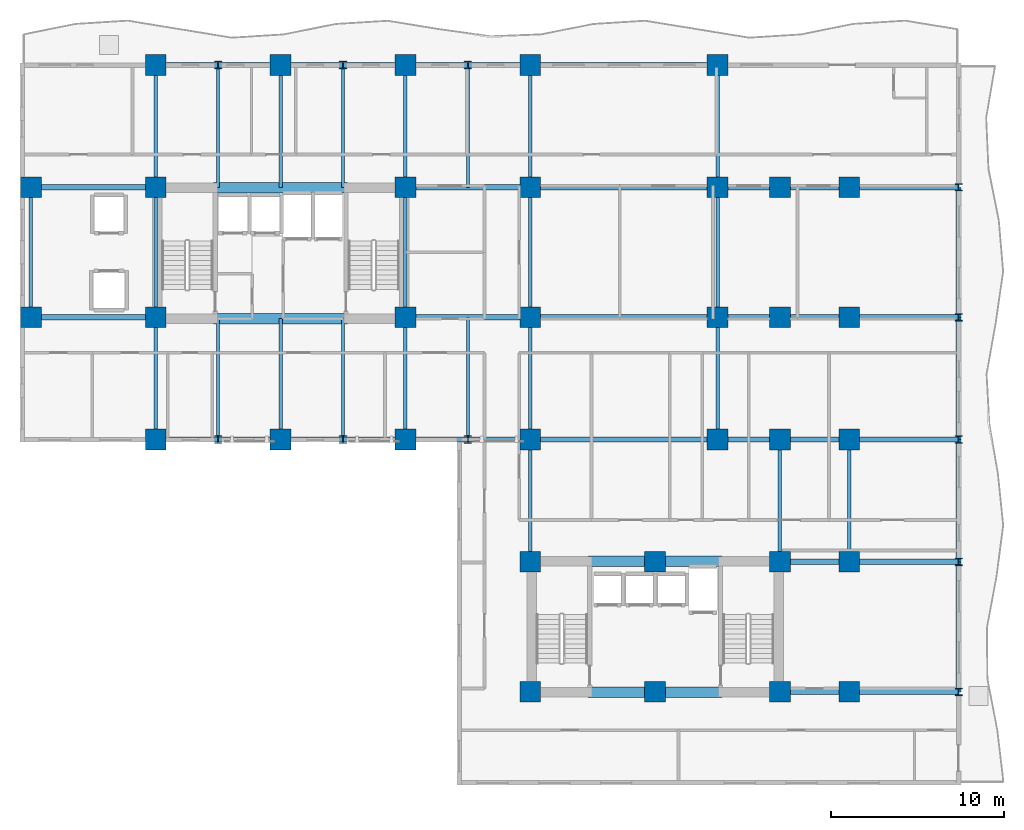
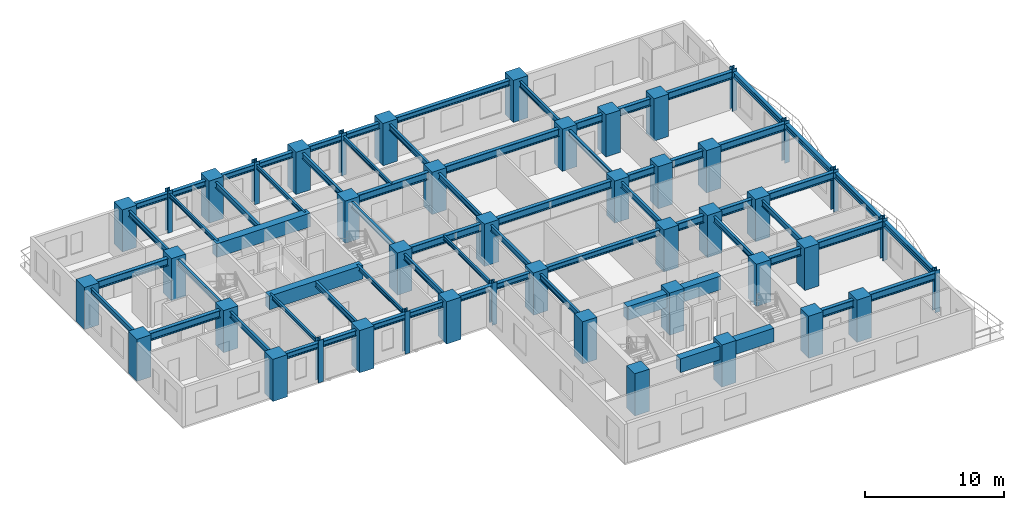
# One storey, part 1 of 11: 65 beams, 45 columns.
"""IFC4 building model written with IfcOpenShell, lengths in metres."""

import ifcopenshell
import ifcopenshell.guid

model = None  # the IFC model being written
_history = None  # IfcOwnerHistory: only IFC2X3 demands one
_inside = {}  # id of a spatial element -> (the spatial element, [elements in it])
_under = {}  # id of a project, library or spatial element -> (it, [spatial elements below it])
_declared = {}  # id of a project -> (the project, [libraries it declares])
_typed = {}  # id of a type object -> (the type object, [elements of that type])
_made_of = {}  # id of a material, layer set ... -> (it, [elements and type objects made of it])


def new_model(schema):
    """Start an empty IFC model of exactly this schema.

    Asked for "IFC4X3", IfcOpenShell would pick the latest addendum, in which some entities
    have other attributes; the version numbers below select the first issue.
    IFC2X3 requires an IfcOwnerHistory on every rooted entity: one is made here for all.
    """
    global model, _history
    if schema == "IFC4X3":
        model = ifcopenshell.file(schema_version=(4, 3, 0, 0))
    else:
        model = ifcopenshell.file(schema=schema)
    _inside.clear()
    _under.clear()
    _declared.clear()
    _typed.clear()
    _made_of.clear()
    _history = None
    if model.schema == "IFC2X3":
        org = make("IfcOrganization", Name="unknown")
        user = make(
            "IfcPersonAndOrganization",
            ThePerson=make("IfcPerson", FamilyName="unknown"),
            TheOrganization=org,
        )
        app = make(
            "IfcApplication",
            ApplicationDeveloper=org,
            Version="unknown",
            ApplicationFullName="unknown",
            ApplicationIdentifier="unknown",
        )
        _history = make(
            "IfcOwnerHistory",
            OwningUser=user,
            OwningApplication=app,
            ChangeAction="ADDED",
            CreationDate=0,
        )
    return model


def make(cls, **values):
    """One entity of the class cls with the attributes given. An attribute that is None is left unset."""
    return model.create_entity(
        cls, **{name: value for name, value in values.items() if value is not None}
    )


def rooted(cls, **values):
    """An entity with a GlobalId (a new one), such as an element, a storey or a relation."""
    return make(cls, GlobalId=ifcopenshell.guid.new(), OwnerHistory=_history, **values)


def si_unit(unit_type, name, prefix=None):
    """IfcSIUnit, for example si_unit("LENGTHUNIT", "METRE", prefix="MILLI")."""
    return make("IfcSIUnit", UnitType=unit_type, Prefix=prefix, Name=name)


def assignment(units):
    """IfcUnitAssignment: the units of a project."""
    return None if units is None else make("IfcUnitAssignment", Units=units)


def point(xyz):
    """IfcCartesianPoint."""
    return None if xyz is None else make("IfcCartesianPoint", Coordinates=xyz)


def direction(xyz):
    """IfcDirection."""
    return None if xyz is None else make("IfcDirection", DirectionRatios=xyz)


def frame(location, z_axis=None, x_axis=None):
    """IfcAxis2Placement3D, a coordinate frame: its origin and axes. An axis left out is left unset."""
    return make(
        "IfcAxis2Placement3D",
        Location=point(location),
        Axis=direction(z_axis),
        RefDirection=direction(x_axis),
    )


def frame_2d(location, x_axis=None):
    """IfcAxis2Placement2D, a coordinate frame in the plane: its origin and x axis."""
    return make(
        "IfcAxis2Placement2D", Location=point(location), RefDirection=direction(x_axis)
    )


def origin():
    """The frame at (0, 0, 0) with its axes left unset."""
    return frame((0.0, 0.0, 0.0))


def origin_2d():
    """The frame at (0, 0) in the plane with its x axis left unset."""
    return frame_2d((0.0, 0.0))


def place(relative_to, where):
    """IfcLocalPlacement: puts the frame where relative to a parent placement (None: the world)."""
    return make(
        "IfcLocalPlacement", PlacementRelTo=relative_to, RelativePlacement=where
    )


def context(
    kind, dimensions, precision=None, world=None, true_north=None, identifier=None
):
    """IfcGeometricRepresentationContext, for example the 3D "Model" context."""
    return make(
        "IfcGeometricRepresentationContext",
        ContextIdentifier=identifier,
        ContextType=kind,
        CoordinateSpaceDimension=dimensions,
        Precision=precision,
        WorldCoordinateSystem=world,
        TrueNorth=true_north,
    )


def subcontext(parent, identifier, kind, view, scale=None):
    """IfcGeometricRepresentationSubContext, for example "Body" below "Model"."""
    return make(
        "IfcGeometricRepresentationSubContext",
        ContextIdentifier=identifier,
        ContextType=kind,
        ParentContext=parent,
        TargetScale=scale,
        TargetView=view,
    )


def project(units=None, contexts=None):
    """IfcProject with its units and contexts."""
    return rooted(
        "IfcProject",
        Name="project",
        RepresentationContexts=contexts,
        UnitsInContext=assignment(units),
    )


def spatial(cls, under=None, at=None, **own):
    """A site, building, storey or space (cls), placed at a placement, below another one or the project."""
    s = rooted(cls, ObjectPlacement=at, **own)
    if under is not None:
        _under.setdefault(under.id(), (under, []))[1].append(s)
    return s


def profile(cls, at=None, kind="AREA", **sizes):
    """A parametric profile (cls). Its sizes go by their IFC names, for example OverallWidth=200.0."""
    return make(cls, ProfileType=kind, Position=at, **sizes)


def rectangle(**sizes):
    """IfcRectangleProfileDef."""
    return profile("IfcRectangleProfileDef", **sizes)


def i_section(**sizes):
    """IfcIShapeProfileDef."""
    return profile("IfcIShapeProfileDef", **sizes)


def extrude(swept, where, along, depth):
    """IfcExtrudedAreaSolid: the profile swept, set in the frame where, extruded along a direction by depth."""
    return make(
        "IfcExtrudedAreaSolid",
        SweptArea=swept,
        Position=where,
        ExtrudedDirection=direction(along),
        Depth=depth,
    )


def shape(context_of_items, identifier, shape_type, items):
    """IfcShapeRepresentation: the items that make up one representation, for example the "Body"."""
    return make(
        "IfcShapeRepresentation",
        ContextOfItems=context_of_items,
        RepresentationIdentifier=identifier,
        RepresentationType=shape_type,
        Items=items,
    )


def source(mapping_origin, context_of_items, identifier, shape_type, items):
    """IfcRepresentationMap: a shape defined once, which mapped items show again and again."""
    return make(
        "IfcRepresentationMap",
        MappingOrigin=mapping_origin,
        MappedRepresentation=shape(context_of_items, identifier, shape_type, items),
    )


def transform(
    local_origin,
    x_axis=None,
    y_axis=None,
    z_axis=None,
    scale=None,
    scale2=None,
    scale3=None,
    uniform=True,
):
    """IfcCartesianTransformationOperator3D, or its non-uniform kind. x_axis, y_axis, z_axis: its Axis1, 2, 3."""
    if uniform:
        return make(
            "IfcCartesianTransformationOperator3D",
            Axis1=direction(x_axis),
            Axis2=direction(y_axis),
            LocalOrigin=point(local_origin),
            Scale=scale,
            Axis3=direction(z_axis),
        )
    return make(
        "IfcCartesianTransformationOperator3DnonUniform",
        Axis1=direction(x_axis),
        Axis2=direction(y_axis),
        LocalOrigin=point(local_origin),
        Scale=scale,
        Axis3=direction(z_axis),
        Scale2=scale2,
        Scale3=scale3,
    )


def mapped(mapping_source, mapping_target):
    """IfcMappedItem: shows the shape of a source again, moved by a transform."""
    return make(
        "IfcMappedItem", MappingSource=mapping_source, MappingTarget=mapping_target
    )


def material(Name=None, Category=None):
    """IfcMaterial."""
    return make("IfcMaterial", Name=Name, Category=Category)


def material_profile(
    of_material, cross_section, Name=None, Category=None, Priority=None
):
    """IfcMaterialProfile: a cross section and its material."""
    return make(
        "IfcMaterialProfile",
        Name=Name,
        Material=of_material,
        Profile=cross_section,
        Priority=Priority,
        Category=Category,
    )


def profile_set(profiles, Name=None, composite=None):
    """IfcMaterialProfileSet."""
    return make(
        "IfcMaterialProfileSet",
        Name=Name,
        MaterialProfiles=profiles,
        CompositeProfile=composite,
    )


def made_of(thing, what):
    """Note that an element or type object is made of a material, layer set ...; save() writes the relation."""
    if what is not None:
        _made_of.setdefault(what.id(), (what, []))[1].append(thing)
    return thing


def type_object(cls, material=None, **own):
    """A type object (cls), such as IfcWallType, which elements share."""
    return made_of(rooted(cls, **own), material)


def element(
    cls,
    number,
    at=None,
    inside=None,
    cuts=None,
    type_object=None,
    material=None,
    context=None,
    identifier="Body",
    shape_type=None,
    held_by="IfcProductDefinitionShape",
    body=None,
    shapes=None,
    **own,
):
    """One element of the class cls, such as IfcWall. Its Tag is "e" and its number.

    at: its placement. inside: the storey or other place that contains it. cuts: it is an
    opening in that element (IfcRelVoidsElement). A single representation is given by context,
    identifier, shape_type and body (its items); several are given by shapes. held_by: the class
    of the entity that holds the representations. save() writes the other relations.
    """
    e = rooted(cls, Tag="e%d" % number, ObjectPlacement=at, **own)
    if body is not None:
        shapes = [shape(context, identifier, shape_type, body)]
    if shapes is not None:
        e.Representation = make(held_by, Representations=shapes)
    if inside is not None:
        _inside.setdefault(inside.id(), (inside, []))[1].append(e)
    if cuts is not None:
        rooted(
            "IfcRelVoidsElement", RelatingBuildingElement=cuts, RelatedOpeningElement=e
        )
    if type_object is not None:
        _typed.setdefault(type_object.id(), (type_object, []))[1].append(e)
    return made_of(e, material)


def aggregate(whole, parts):
    """IfcRelAggregates: a whole, such as a stair, and the parts it consists of."""
    return rooted("IfcRelAggregates", RelatingObject=whole, RelatedObjects=parts)


def save(model, path):
    """Write the relations noted so far, then the file.

    IfcRelAggregates (storeys below a building ...), IfcRelContainedInSpatialStructure (elements
    in a storey), IfcRelDefinesByType, IfcRelAssociatesMaterial and IfcRelDeclares: one each for
    every whole, place, type object, material and project.
    """
    for whole, parts in _under.values():
        aggregate(whole, parts)
    for where, things in _inside.values():
        rooted(
            "IfcRelContainedInSpatialStructure",
            RelatedElements=things,
            RelatingStructure=where,
        )
    for kind, things in _typed.values():
        rooted("IfcRelDefinesByType", RelatedObjects=things, RelatingType=kind)
    for what, things in _made_of.values():
        rooted("IfcRelAssociatesMaterial", RelatedObjects=things, RelatingMaterial=what)
    for by, libraries in _declared.values():
        rooted("IfcRelDeclares", RelatingContext=by, RelatedDefinitions=libraries)
    model.write(path)


model = new_model("IFC4")

# Units and contexts
model_context = context("Model", 3, precision=1e-05, world=origin(), true_north=direction((0.0, 1.0)))
body_context = subcontext(model_context, "Body", "Model", "MODEL_VIEW")
ifc_project = project(units=[si_unit("LENGTHUNIT", "METRE"), si_unit("AREAUNIT", "SQUARE_METRE"), si_unit("VOLUMEUNIT", "CUBIC_METRE"), si_unit("PLANEANGLEUNIT", "RADIAN"), si_unit("MASSUNIT", "GRAM", prefix="KILO")], contexts=[model_context])

# Site, building, storey
site_placement = place(None, origin())
site = spatial("IfcSite", under=ifc_project, at=site_placement, CompositionType="ELEMENT")
building_placement = place(site_placement, origin())
building = spatial("IfcBuilding", under=site, at=building_placement, Name="Kaliganga Portal Commons", CompositionType="ELEMENT")
storey_placement = place(building_placement, frame((0.0, 0.0, 89.699951171875)))
storey = spatial("IfcBuildingStorey", under=building, at=storey_placement, Name="L22", CompositionType="ELEMENT", Elevation=89.699951171875)

# Columns
ifc_material_1 = material(Name="Concrete C60/75", Category="concrete")
ifc_material_profile_1 = material_profile(ifc_material_1, rectangle(XDim=1.199951171875, YDim=1.199951171875, at=origin_2d()), Name="RC 1200x1200")
ifc_profile_set_1 = profile_set([ifc_material_profile_1], Name="Concrete C60/75")
column_type_1 = type_object("IfcColumnType", Name="COL-MEGA-Z2", PredefinedType="COLUMN", material=ifc_profile_set_1)
shared_shape_1 = source(origin(), body_context, "Body", "SweptSolid", [
    extrude(rectangle(XDim=1.199951171875, YDim=1.199951171875, at=origin_2d()), origin(), (0.0, 0.0, 1.0), 3.699951171875),
])
for number, where, z_axis, x_axis, name in (
    (1, (7.199951171875, 28.64990234375, 0.0), (0.0, 0.0, 1.0), (1.0, 0.0, 0.0), "Column MC-03 L22"),
    (2, (7.199951171875, 36.14990234375, 0.0), (0.0, 0.0, 1.0), (1.0, 0.0, 0.0), "Column MC-03 L22"),
    (3, (14.39990234375, 21.60009765625, 0.0), (0.0, 0.0, 1.0), (1.0, 0.0, 0.0), "Column MC-03 L22"),
    (4, (14.39990234375, 28.64990234375, 0.0), (0.0, 0.0, 1.0), (1.0, 0.0, 0.0), "Column MC-03 L22"),
    (5, (14.39990234375, 36.14990234375, 0.0), (0.0, 0.0, 1.0), (1.0, 0.0, 0.0), "Column MC-03 L22"),
    (6, (14.39990234375, 43.199951171875, 0.0), (0.0, 0.0, 1.0), (1.0, 0.0, 0.0), "Column MC-03 L22"),
    (7, (21.60009765625, 21.60009765625, 0.0), (0.0, 0.0, 1.0), (1.0, 0.0, 0.0), "Column MC-03 L22"),
    (8, (21.60009765625, 43.199951171875, 0.0), (0.0, 0.0, 1.0), (1.0, 0.0, 0.0), "Column MC-03 L22"),
    (9, (28.800048828125, 21.60009765625, 0.0), (0.0, 0.0, 1.0), (1.0, 0.0, 0.0), "Column MC-03 L22"),
    (10, (28.800048828125, 28.64990234375, 0.0), (0.0, 0.0, 1.0), (1.0, 0.0, 0.0), "Column MC-03 L22"),
    (11, (28.800048828125, 36.14990234375, 0.0), (0.0, 0.0, 1.0), (1.0, 0.0, 0.0), "Column MC-03 L22"),
    (12, (28.800048828125, 43.199951171875, 0.0), (0.0, 0.0, 1.0), (1.0, 0.0, 0.0), "Column MC-03 L22"),
    (13, (36.0, 21.60009765625, 0.0), (0.0, 0.0, 1.0), (1.0, 0.0, 0.0), "Column MC-03 L22"),
    (14, (36.0, 43.199951171875, 0.0), (0.0, 0.0, 1.0), (1.0, 0.0, 0.0), "Column MC-03 L22"),
    (15, (36.0, 28.64990234375, 0.0), (0.0, 0.0, 1.0), (1.0, 0.0, 0.0), "Column MC-03 L22"),
    (16, (36.0, 36.14990234375, 0.0), (0.0, 0.0, 1.0), (1.0, 0.0, 0.0), "Column MC-03 L22"),
    (17, (46.800048828125, 21.60009765625, 0.0), (0.0, 0.0, 1.0), (1.0, 0.0, 0.0), "Column MC-03 L22"),
    (18, (46.800048828125, 28.64990234375, 0.0), (0.0, 0.0, 1.0), (1.0, 0.0, 0.0), "Column MC-03 L22"),
    (19, (46.800048828125, 36.14990234375, 0.0), (0.0, 0.0, 1.0), (1.0, 0.0, 0.0), "Column MC-03 L22"),
    (20, (46.800048828125, 43.199951171875, 0.0), (0.0, 0.0, 1.0), (1.0, 0.0, 0.0), "Column MC-03 L22"),
    (21, (36.0, 7.050048828125, 0.0), (0.0, 0.0, 1.0), (1.0, 0.0, 0.0), "Column MC-03 L22"),
    (22, (36.0, 14.550048828125, 0.0), (0.0, 0.0, 1.0), (1.0, 0.0, 0.0), "Column MC-03 L22"),
    (23, (43.199951171875, 7.050048828125, 0.0), (0.0, 0.0, 1.0), (1.0, 0.0, 0.0), "Column MC-03 L22"),
    (24, (43.199951171875, 14.550048828125, 0.0), (0.0, 0.0, 1.0), (1.0, 0.0, 0.0), "Column MC-03 L22"),
    (25, (50.39990234375, 7.050048828125, 0.0), (0.0, 0.0, 1.0), (1.0, 0.0, 0.0), "Column MC-03 L22"),
    (26, (50.39990234375, 14.550048828125, 0.0), (0.0, 0.0, 1.0), (1.0, 0.0, 0.0), "Column MC-03 L22"),
    (27, (50.39990234375, 21.60009765625, 0.0), (0.0, 0.0, 1.0), (1.0, 0.0, 0.0), "Column MC-03 L22"),
    (28, (50.39990234375, 28.64990234375, 0.0), (0.0, 0.0, 1.0), (1.0, 0.0, 0.0), "Column MC-03 L22"),
    (29, (50.39990234375, 36.14990234375, 0.0), (0.0, 0.0, 1.0), (1.0, 0.0, 0.0), "Column MC-03 L22"),
    (30, (54.39990234375, 7.050048828125, 0.0), (0.0, 0.0, 1.0), (1.0, 0.0, 0.0), "Column MC-03 L22"),
    (31, (54.39990234375, 14.550048828125, 0.0), (0.0, 0.0, 1.0), (1.0, 0.0, 0.0), "Column MC-03 L22"),
    (32, (54.39990234375, 21.60009765625, 0.0), (0.0, 0.0, 1.0), (1.0, 0.0, 0.0), "Column MC-03 L22"),
    (33, (54.39990234375, 28.64990234375, 0.0), (0.0, 0.0, 1.0), (1.0, 0.0, 0.0), "Column MC-03 L22"),
    (34, (54.39990234375, 36.14990234375, 0.0), (0.0, 0.0, 1.0), (1.0, 0.0, 0.0), "Column MC-03 L22"),
):
    element("IfcColumn", number, at=place(storey_placement, frame(where, z_axis=z_axis, x_axis=x_axis)), inside=storey, type_object=column_type_1, Name=name, PredefinedType="COLUMN", context=body_context, shape_type="MappedRepresentation", body=[
        mapped(shared_shape_1, transform((0.0, 0.0, 0.0), x_axis=(1.0, 0.0, 0.0), y_axis=(0.0, 1.0, 0.0), z_axis=(0.0, 0.0, 1.0), scale=1.0)),
    ])
ifc_material_2 = material(Name="Structural steel S460M", Category="steel")
ifc_material_profile_2 = material_profile(ifc_material_2, i_section(OverallWidth=0.408935546875, OverallDepth=0.429931640625, WebThickness=0.0244140625, FlangeThickness=0.033447265625, FilletRadius=0.014892578125, at=origin_2d()), Name="HD 400x421")
ifc_profile_set_2 = profile_set([ifc_material_profile_2], Name="Structural steel S460M wide-flange")
column_type_2 = type_object("IfcColumnType", Name="COL-TUBE-B2", PredefinedType="COLUMN", material=ifc_profile_set_2)
shared_shape_2 = source(origin(), body_context, "Body", "SweptSolid", [
    extrude(i_section(OverallWidth=0.408935546875, OverallDepth=0.429931640625, WebThickness=0.0244140625, FlangeThickness=0.033447265625, FilletRadius=0.014892578125, at=origin_2d()), origin(), (0.0, 0.0, 1.0), 3.699951171875),
])
for number, where, z_axis, x_axis, name in (
    (35, (18.0, 21.60009765625, 0.0), (0.0, 0.0, 1.0), (1.0, 0.0, 0.0), "Column TC-02 L22"),
    (36, (18.0, 43.199951171875, 0.0), (0.0, 0.0, 1.0), (1.0, 0.0, 0.0), "Column TC-02 L22"),
    (37, (25.199951171875, 21.60009765625, 0.0), (0.0, 0.0, 1.0), (1.0, 0.0, 0.0), "Column TC-02 L22"),
    (38, (25.199951171875, 43.199951171875, 0.0), (0.0, 0.0, 1.0), (1.0, 0.0, 0.0), "Column TC-02 L22"),
    (39, (32.39990234375, 21.60009765625, 0.0), (0.0, 0.0, 1.0), (1.0, 0.0, 0.0), "Column TC-02 L22"),
    (40, (32.39990234375, 43.199951171875, 0.0), (0.0, 0.0, 1.0), (1.0, 0.0, 0.0), "Column TC-02 L22"),
    (41, (60.699951171875, 7.050048828125, 0.0), (0.0, 0.0, 1.0), (1.0, 0.0, 0.0), "Column TC-02 L22"),
    (42, (60.699951171875, 14.550048828125, 0.0), (0.0, 0.0, 1.0), (1.0, 0.0, 0.0), "Column TC-02 L22"),
    (43, (60.699951171875, 21.60009765625, 0.0), (0.0, 0.0, 1.0), (1.0, 0.0, 0.0), "Column TC-02 L22"),
    (44, (60.699951171875, 28.64990234375, 0.0), (0.0, 0.0, 1.0), (1.0, 0.0, 0.0), "Column TC-02 L22"),
    (45, (60.699951171875, 36.14990234375, 0.0), (0.0, 0.0, 1.0), (1.0, 0.0, 0.0), "Column TC-02 L22"),
):
    element("IfcColumn", number, at=place(storey_placement, frame(where, z_axis=z_axis, x_axis=x_axis)), inside=storey, type_object=column_type_2, Name=name, PredefinedType="COLUMN", context=body_context, shape_type="MappedRepresentation", body=[
        mapped(shared_shape_2, transform((0.0, 0.0, 0.0), x_axis=(1.0, 0.0, 0.0), y_axis=(0.0, 1.0, 0.0), z_axis=(0.0, 0.0, 1.0), scale=1.0)),
    ])

# Beams
ifc_material_profile_3 = material_profile(ifc_material_1, rectangle(XDim=0.60009765625, YDim=1.199951171875, at=origin_2d()), Name="RC 600x1200")
ifc_profile_set_3 = profile_set([ifc_material_profile_3], Name="Concrete C60/75")
beam_type_1 = type_object("IfcBeamType", Name="BM-CPL-1200", PredefinedType="LINTEL", material=ifc_profile_set_3)
shared_shape_3 = source(origin(), body_context, "Body", "SweptSolid", [
    extrude(rectangle(XDim=0.60009765625, YDim=1.199951171875, at=origin_2d()), origin(), (0.0, 0.0, 1.0), 7.739990234375),
])
for number, where, z_axis, x_axis, name in (
    (46, (17.72998046875, 28.574951171875, 2.85009765625), (1.0, 0.0, 0.0), (0.0, 1.0, 0.0), "BM CPL COREA L22 S"),
    (47, (17.72998046875, 36.125, 2.85009765625), (1.0, 0.0, 0.0), (0.0, 1.0, 0.0), "BM CPL COREA L22 N"),
    (48, (39.330078125, 7.02490234375, 2.85009765625), (1.0, 0.0, 0.0), (0.0, 1.0, 0.0), "BM CPL COREB L22 S"),
    (49, (39.330078125, 14.574951171875, 2.85009765625), (1.0, 0.0, 0.0), (0.0, 1.0, 0.0), "BM CPL COREB L22 N"),
):
    element("IfcBeam", number, at=place(storey_placement, frame(where, z_axis=z_axis, x_axis=x_axis)), inside=storey, type_object=beam_type_1, Name=name, PredefinedType="LINTEL", context=body_context, shape_type="MappedRepresentation", body=[
        mapped(shared_shape_3, transform((0.0, 0.0, 0.0), x_axis=(1.0, 0.0, 0.0), y_axis=(0.0, 1.0, 0.0), z_axis=(0.0, 0.0, 1.0), scale=1.0)),
    ])
ifc_material_3 = material(Name="Structural steel S355J2", Category="steel")
ifc_material_profile_4 = material_profile(ifc_material_3, i_section(OverallWidth=0.300048828125, OverallDepth=0.5, WebThickness=0.014404296875, FlangeThickness=0.028076171875, FilletRadius=0.027099609375, at=origin_2d()), Name="HE 500 B")
ifc_profile_set_4 = profile_set([ifc_material_profile_4], Name="Structural steel S355J2 wide-flange")
beam_type_2 = type_object("IfcBeamType", Name="BM-SPAND-500", PredefinedType="SPANDREL", material=ifc_profile_set_4)
shared_shape_4 = source(origin(), body_context, "Body", "SweptSolid", [
    extrude(i_section(OverallWidth=0.300048828125, OverallDepth=0.5, WebThickness=0.014404296875, FlangeThickness=0.028076171875, FilletRadius=0.027099609375, at=origin_2d()), origin(), (0.0, 0.0, 1.0), 10.800048828125),
])
for number, where, z_axis, x_axis, name in (
    (50, (36.0, 43.199951171875, 3.199951171875), (1.0, 0.0, 0.0), (0.0, 1.0, 0.0), "BM SP L22 AN 7"),
    (51, (36.0, 21.60009765625, 3.199951171875), (1.0, 0.0, 0.0), (0.0, 1.0, 0.0), "BM SP L22 AS 7"),
):
    element("IfcBeam", number, at=place(storey_placement, frame(where, z_axis=z_axis, x_axis=x_axis)), inside=storey, type_object=beam_type_2, Name=name, PredefinedType="SPANDREL", context=body_context, shape_type="MappedRepresentation", body=[
        mapped(shared_shape_4, transform((0.0, 0.0, 0.0), x_axis=(1.0, 0.0, 0.0), y_axis=(0.0, 1.0, 0.0), z_axis=(0.0, 0.0, 1.0), scale=1.0)),
    ])
shared_shape_5 = source(origin(), body_context, "Body", "SweptSolid", [
    extrude(i_section(OverallWidth=0.300048828125, OverallDepth=0.5, WebThickness=0.014404296875, FlangeThickness=0.028076171875, FilletRadius=0.027099609375, at=origin_2d()), origin(), (0.0, 0.0, 1.0), 7.5),
])
for number, where, z_axis, x_axis, name in (
    (52, (60.699951171875, 7.050048828125, 3.199951171875), (0.0, 1.0, 0.0), (-1.0, 0.0, 0.0), "BM SP L22 BE 1"),
    (53, (60.699951171875, 28.64990234375, 3.199951171875), (0.0, 1.0, 0.0), (-1.0, 0.0, 0.0), "BM SP L22 BE 4"),
):
    element("IfcBeam", number, at=place(storey_placement, frame(where, z_axis=z_axis, x_axis=x_axis)), inside=storey, type_object=beam_type_2, Name=name, PredefinedType="SPANDREL", context=body_context, shape_type="MappedRepresentation", body=[
        mapped(shared_shape_5, transform((0.0, 0.0, 0.0), x_axis=(1.0, 0.0, 0.0), y_axis=(0.0, 1.0, 0.0), z_axis=(0.0, 0.0, 1.0), scale=1.0)),
    ])
shared_shape_6 = source(origin(), body_context, "Body", "SweptSolid", [
    extrude(i_section(OverallWidth=0.300048828125, OverallDepth=0.5, WebThickness=0.014404296875, FlangeThickness=0.028076171875, FilletRadius=0.027099609375, at=origin_2d()), origin(), (0.0, 0.0, 1.0), 7.050048828125),
])
beam_1_placement = place(storey_placement, frame((60.699951171875, 14.550048828125, 3.199951171875), z_axis=(0.0, 1.0, 0.0), x_axis=(-1.0, 0.0, 0.0)))
element("IfcBeam", 54, at=beam_1_placement, inside=storey, type_object=beam_type_2, Name="BM SP L22 BE 2", PredefinedType="SPANDREL", context=body_context, shape_type="MappedRepresentation", body=[
    mapped(shared_shape_6, transform((0.0, 0.0, 0.0), x_axis=(1.0, 0.0, 0.0), y_axis=(0.0, 1.0, 0.0), z_axis=(0.0, 0.0, 1.0), scale=1.0)),
])
shared_shape_7 = source(origin(), body_context, "Body", "SweptSolid", [
    extrude(i_section(OverallWidth=0.300048828125, OverallDepth=0.5, WebThickness=0.014404296875, FlangeThickness=0.028076171875, FilletRadius=0.027099609375, at=origin_2d()), origin(), (0.0, 0.0, 1.0), 7.0498046875),
])
beam_2_placement = place(storey_placement, frame((60.699951171875, 21.60009765625, 3.199951171875), z_axis=(0.0, 1.0, 0.0), x_axis=(-1.0, 0.0, 0.0)))
element("IfcBeam", 55, at=beam_2_placement, inside=storey, type_object=beam_type_2, Name="BM SP L22 BE 3", PredefinedType="SPANDREL", context=body_context, shape_type="MappedRepresentation", body=[
    mapped(shared_shape_7, transform((0.0, 0.0, 0.0), x_axis=(1.0, 0.0, 0.0), y_axis=(0.0, 1.0, 0.0), z_axis=(0.0, 0.0, 1.0), scale=1.0)),
])
shared_shape_8 = source(origin(), body_context, "Body", "SweptSolid", [
    extrude(i_section(OverallWidth=0.300048828125, OverallDepth=0.5, WebThickness=0.014404296875, FlangeThickness=0.028076171875, FilletRadius=0.027099609375, at=origin_2d()), origin(), (0.0, 0.0, 1.0), 3.60009765625),
])
for number, where, z_axis, x_axis, name in (
    (56, (14.39990234375, 43.199951171875, 3.199951171875), (1.0, 0.0, 0.0), (0.0, 1.0, 0.0), "BM SP L22 AN 1"),
    (57, (18.0, 43.199951171875, 3.199951171875), (1.0, 0.0, 0.0), (0.0, 1.0, 0.0), "BM SP L22 AN 2"),
    (58, (25.199951171875, 43.199951171875, 3.199951171875), (1.0, 0.0, 0.0), (0.0, 1.0, 0.0), "BM SP L22 AN 4"),
    (59, (32.39990234375, 43.199951171875, 3.199951171875), (1.0, 0.0, 0.0), (0.0, 1.0, 0.0), "BM SP L22 AN 6"),
    (60, (14.39990234375, 21.60009765625, 3.199951171875), (1.0, 0.0, 0.0), (0.0, 1.0, 0.0), "BM SP L22 AS 1"),
    (61, (18.0, 21.60009765625, 3.199951171875), (1.0, 0.0, 0.0), (0.0, 1.0, 0.0), "BM SP L22 AS 2"),
    (62, (25.199951171875, 21.60009765625, 3.199951171875), (1.0, 0.0, 0.0), (0.0, 1.0, 0.0), "BM SP L22 AS 4"),
    (63, (32.39990234375, 21.60009765625, 3.199951171875), (1.0, 0.0, 0.0), (0.0, 1.0, 0.0), "BM SP L22 AS 6"),
):
    element("IfcBeam", number, at=place(storey_placement, frame(where, z_axis=z_axis, x_axis=x_axis)), inside=storey, type_object=beam_type_2, Name=name, PredefinedType="SPANDREL", context=body_context, shape_type="MappedRepresentation", body=[
        mapped(shared_shape_8, transform((0.0, 0.0, 0.0), x_axis=(1.0, 0.0, 0.0), y_axis=(0.0, 1.0, 0.0), z_axis=(0.0, 0.0, 1.0), scale=1.0)),
    ])
shared_shape_9 = source(origin(), body_context, "Body", "SweptSolid", [
    extrude(i_section(OverallWidth=0.300048828125, OverallDepth=0.5, WebThickness=0.014404296875, FlangeThickness=0.028076171875, FilletRadius=0.027099609375, at=origin_2d()), origin(), (0.0, 0.0, 1.0), 3.599853515625),
])
for number, where, z_axis, x_axis, name in (
    (64, (21.60009765625, 43.199951171875, 3.199951171875), (1.0, 0.0, 0.0), (0.0, 1.0, 0.0), "BM SP L22 AN 3"),
    (65, (28.800048828125, 43.199951171875, 3.199951171875), (1.0, 0.0, 0.0), (0.0, 1.0, 0.0), "BM SP L22 AN 5"),
    (66, (21.60009765625, 21.60009765625, 3.199951171875), (1.0, 0.0, 0.0), (0.0, 1.0, 0.0), "BM SP L22 AS 3"),
    (67, (28.800048828125, 21.60009765625, 3.199951171875), (1.0, 0.0, 0.0), (0.0, 1.0, 0.0), "BM SP L22 AS 5"),
):
    element("IfcBeam", number, at=place(storey_placement, frame(where, z_axis=z_axis, x_axis=x_axis)), inside=storey, type_object=beam_type_2, Name=name, PredefinedType="SPANDREL", context=body_context, shape_type="MappedRepresentation", body=[
        mapped(shared_shape_9, transform((0.0, 0.0, 0.0), x_axis=(1.0, 0.0, 0.0), y_axis=(0.0, 1.0, 0.0), z_axis=(0.0, 0.0, 1.0), scale=1.0)),
    ])
ifc_material_profile_5 = material_profile(ifc_material_3, i_section(OverallWidth=0.300048828125, OverallDepth=0.64990234375, WebThickness=0.01611328125, FlangeThickness=0.031005859375, FilletRadius=0.027099609375, at=origin_2d()), Name="HE 650 B")
ifc_profile_set_5 = profile_set([ifc_material_profile_5], Name="Structural steel S355J2 wide-flange")
beam_type_3 = type_object("IfcBeamType", Name="BM-GIRD-650", PredefinedType="USERDEFINED", material=ifc_profile_set_5)
shared_shape_10 = source(origin(), body_context, "Body", "SweptSolid", [
    extrude(i_section(OverallWidth=0.300048828125, OverallDepth=0.64990234375, WebThickness=0.01611328125, FlangeThickness=0.031005859375, FilletRadius=0.027099609375, at=origin_2d()), origin(), (0.0, 0.0, 1.0), 3.599853515625),
])
for number, where, z_axis, x_axis, name in (
    (68, (46.800048828125, 21.60009765625, 3.125), (1.0, 0.0, 0.0), (0.0, 1.0, 0.0), "BM G L22 BKE216 1"),
    (69, (46.800048828125, 28.64990234375, 3.125), (1.0, 0.0, 0.0), (0.0, 1.0, 0.0), "BM G L22 BKE286 1"),
    (70, (46.800048828125, 36.14990234375, 3.125), (1.0, 0.0, 0.0), (0.0, 1.0, 0.0), "BM G L22 BKE362 1"),
):
    element("IfcBeam", number, at=place(storey_placement, frame(where, z_axis=z_axis, x_axis=x_axis)), inside=storey, type_object=beam_type_3, Name=name, ObjectType="GIRDER", PredefinedType="USERDEFINED", context=body_context, shape_type="MappedRepresentation", body=[
        mapped(shared_shape_10, transform((0.0, 0.0, 0.0), x_axis=(1.0, 0.0, 0.0), y_axis=(0.0, 1.0, 0.0), z_axis=(0.0, 0.0, 1.0), scale=1.0)),
    ])
shared_shape_11 = source(origin(), body_context, "Body", "SweptSolid", [
    extrude(i_section(OverallWidth=0.300048828125, OverallDepth=0.64990234375, WebThickness=0.01611328125, FlangeThickness=0.031005859375, FilletRadius=0.027099609375, at=origin_2d()), origin(), (0.0, 0.0, 1.0), 7.199951171875),
])
for number, where, z_axis, x_axis, name in (
    (71, (7.199951171875, 28.64990234375, 3.125), (1.0, 0.0, 0.0), (0.0, 1.0, 0.0), "BM G L22 WAH_S 1"),
    (72, (7.199951171875, 36.14990234375, 3.125), (1.0, 0.0, 0.0), (0.0, 1.0, 0.0), "BM G L22 WAH_N 1"),
    (73, (28.800048828125, 28.64990234375, 3.125), (1.0, 0.0, 0.0), (0.0, 1.0, 0.0), "BM G L22 WAE_S 1"),
    (74, (28.800048828125, 36.14990234375, 3.125), (1.0, 0.0, 0.0), (0.0, 1.0, 0.0), "BM G L22 WAE_N 1"),
):
    element("IfcBeam", number, at=place(storey_placement, frame(where, z_axis=z_axis, x_axis=x_axis)), inside=storey, type_object=beam_type_3, Name=name, ObjectType="GIRDER", PredefinedType="USERDEFINED", context=body_context, shape_type="MappedRepresentation", body=[
        mapped(shared_shape_11, transform((0.0, 0.0, 0.0), x_axis=(1.0, 0.0, 0.0), y_axis=(0.0, 1.0, 0.0), z_axis=(0.0, 0.0, 1.0), scale=1.0)),
    ])
shared_shape_12 = source(origin(), body_context, "Body", "SweptSolid", [
    extrude(i_section(OverallWidth=0.300048828125, OverallDepth=0.64990234375, WebThickness=0.01611328125, FlangeThickness=0.031005859375, FilletRadius=0.027099609375, at=origin_2d()), origin(), (0.0, 0.0, 1.0), 10.800048828125),
])
for number, where, z_axis, x_axis, name in (
    (75, (36.0, 28.64990234375, 3.125), (1.0, 0.0, 0.0), (0.0, 1.0, 0.0), "BM G L22 WAE_S 2"),
    (76, (36.0, 36.14990234375, 3.125), (1.0, 0.0, 0.0), (0.0, 1.0, 0.0), "BM G L22 WAE_N 2"),
):
    element("IfcBeam", number, at=place(storey_placement, frame(where, z_axis=z_axis, x_axis=x_axis)), inside=storey, type_object=beam_type_3, Name=name, ObjectType="GIRDER", PredefinedType="USERDEFINED", context=body_context, shape_type="MappedRepresentation", body=[
        mapped(shared_shape_12, transform((0.0, 0.0, 0.0), x_axis=(1.0, 0.0, 0.0), y_axis=(0.0, 1.0, 0.0), z_axis=(0.0, 0.0, 1.0), scale=1.0)),
    ])
ifc_material_profile_6 = material_profile(ifc_material_3, i_section(OverallWidth=0.169921875, OverallDepth=0.360107421875, WebThickness=0.008056640625, FlangeThickness=0.0126953125, FilletRadius=0.01806640625, at=origin_2d()), Name="IPE 360")
ifc_profile_set_6 = profile_set([ifc_material_profile_6], Name="Structural steel S355J2 wide-flange")
beam_type_4 = type_object("IfcBeamType", Name="BM-JST-360", PredefinedType="JOIST", material=ifc_profile_set_6)
shared_shape_13 = source(origin(), body_context, "Body", "SweptSolid", [
    extrude(i_section(OverallWidth=0.169921875, OverallDepth=0.360107421875, WebThickness=0.008056640625, FlangeThickness=0.0126953125, FilletRadius=0.01806640625, at=origin_2d()), origin(), (0.0, 0.0, 1.0), 7.074951171875),
])
for number, where, z_axis, x_axis, name in (
    (77, (18.0, 36.125, 3.27001953125), (0.0, 1.0, 0.0), (-1.0, 0.0, 0.0), "BM G L22 AN180"),
    (78, (25.199951171875, 36.125, 3.27001953125), (0.0, 1.0, 0.0), (-1.0, 0.0, 0.0), "BM G L22 AN252"),
):
    element("IfcBeam", number, at=place(storey_placement, frame(where, z_axis=z_axis, x_axis=x_axis)), inside=storey, type_object=beam_type_4, Name=name, PredefinedType="JOIST", context=body_context, shape_type="MappedRepresentation", body=[
        mapped(shared_shape_13, transform((0.0, 0.0, 0.0), x_axis=(1.0, 0.0, 0.0), y_axis=(0.0, 1.0, 0.0), z_axis=(0.0, 0.0, 1.0), scale=1.0)),
    ])
shared_shape_14 = source(origin(), body_context, "Body", "SweptSolid", [
    extrude(i_section(OverallWidth=0.169921875, OverallDepth=0.360107421875, WebThickness=0.008056640625, FlangeThickness=0.0126953125, FilletRadius=0.01806640625, at=origin_2d()), origin(), (0.0, 0.0, 1.0), 6.974853515625),
])
for number, where, z_axis, x_axis, name in (
    (79, (18.0, 21.60009765625, 3.27001953125), (0.0, 1.0, 0.0), (-1.0, 0.0, 0.0), "BM G L22 AS180"),
    (80, (25.199951171875, 21.60009765625, 3.27001953125), (0.0, 1.0, 0.0), (-1.0, 0.0, 0.0), "BM G L22 AS252"),
):
    element("IfcBeam", number, at=place(storey_placement, frame(where, z_axis=z_axis, x_axis=x_axis)), inside=storey, type_object=beam_type_4, Name=name, PredefinedType="JOIST", context=body_context, shape_type="MappedRepresentation", body=[
        mapped(shared_shape_14, transform((0.0, 0.0, 0.0), x_axis=(1.0, 0.0, 0.0), y_axis=(0.0, 1.0, 0.0), z_axis=(0.0, 0.0, 1.0), scale=1.0)),
    ])
shared_shape_15 = source(origin(), body_context, "Body", "SweptSolid", [
    extrude(i_section(OverallWidth=0.169921875, OverallDepth=0.360107421875, WebThickness=0.008056640625, FlangeThickness=0.0126953125, FilletRadius=0.01806640625, at=origin_2d()), origin(), (0.0, 0.0, 1.0), 7.050048828125),
])
beam_3_placement = place(storey_placement, frame((32.39990234375, 36.14990234375, 3.27001953125), z_axis=(0.0, 1.0, 0.0), x_axis=(-1.0, 0.0, 0.0)))
element("IfcBeam", 81, at=beam_3_placement, inside=storey, type_object=beam_type_4, Name="BM G L22 AN324", PredefinedType="JOIST", context=body_context, shape_type="MappedRepresentation", body=[
    mapped(shared_shape_15, transform((0.0, 0.0, 0.0), x_axis=(1.0, 0.0, 0.0), y_axis=(0.0, 1.0, 0.0), z_axis=(0.0, 0.0, 1.0), scale=1.0)),
])
shared_shape_16 = source(origin(), body_context, "Body", "SweptSolid", [
    extrude(i_section(OverallWidth=0.169921875, OverallDepth=0.360107421875, WebThickness=0.008056640625, FlangeThickness=0.0126953125, FilletRadius=0.01806640625, at=origin_2d()), origin(), (0.0, 0.0, 1.0), 7.0498046875),
])
beam_4_placement = place(storey_placement, frame((32.39990234375, 21.60009765625, 3.27001953125), z_axis=(0.0, 1.0, 0.0), x_axis=(-1.0, 0.0, 0.0)))
element("IfcBeam", 82, at=beam_4_placement, inside=storey, type_object=beam_type_4, Name="BM G L22 AS324", PredefinedType="JOIST", context=body_context, shape_type="MappedRepresentation", body=[
    mapped(shared_shape_16, transform((0.0, 0.0, 0.0), x_axis=(1.0, 0.0, 0.0), y_axis=(0.0, 1.0, 0.0), z_axis=(0.0, 0.0, 1.0), scale=1.0)),
])
shared_shape_17 = source(origin(), body_context, "Body", "SweptSolid", [
    extrude(i_section(OverallWidth=0.300048828125, OverallDepth=0.64990234375, WebThickness=0.01611328125, FlangeThickness=0.031005859375, FilletRadius=0.027099609375, at=origin_2d()), origin(), (0.0, 0.0, 1.0), 4.0),
])
for number, where, z_axis, x_axis, name in (
    (83, (50.39990234375, 7.050048828125, 3.125), (1.0, 0.0, 0.0), (0.0, 1.0, 0.0), "BM G L22 BKE70 1"),
    (84, (50.39990234375, 14.550048828125, 3.125), (1.0, 0.0, 0.0), (0.0, 1.0, 0.0), "BM G L22 BKE146 1"),
    (85, (50.39990234375, 21.60009765625, 3.125), (1.0, 0.0, 0.0), (0.0, 1.0, 0.0), "BM G L22 BKE216 2"),
    (86, (50.39990234375, 28.64990234375, 3.125), (1.0, 0.0, 0.0), (0.0, 1.0, 0.0), "BM G L22 BKE286 2"),
    (87, (50.39990234375, 36.14990234375, 3.125), (1.0, 0.0, 0.0), (0.0, 1.0, 0.0), "BM G L22 BKE362 2"),
):
    element("IfcBeam", number, at=place(storey_placement, frame(where, z_axis=z_axis, x_axis=x_axis)), inside=storey, type_object=beam_type_3, Name=name, ObjectType="GIRDER", PredefinedType="USERDEFINED", context=body_context, shape_type="MappedRepresentation", body=[
        mapped(shared_shape_17, transform((0.0, 0.0, 0.0), x_axis=(1.0, 0.0, 0.0), y_axis=(0.0, 1.0, 0.0), z_axis=(0.0, 0.0, 1.0), scale=1.0)),
    ])
ifc_material_profile_7 = material_profile(ifc_material_3, i_section(OverallWidth=0.199951171875, OverallDepth=0.5, WebThickness=0.01025390625, FlangeThickness=0.01611328125, FilletRadius=0.02099609375, at=origin_2d()), Name="IPE 500")
ifc_profile_set_7 = profile_set([ifc_material_profile_7], Name="Structural steel S355J2 wide-flange")
beam_type_5 = type_object("IfcBeamType", Name="BM-FLR-500", PredefinedType="BEAM", material=ifc_profile_set_7)
shared_shape_18 = source(origin(), body_context, "Body", "SweptSolid", [
    extrude(i_section(OverallWidth=0.199951171875, OverallDepth=0.5, WebThickness=0.01025390625, FlangeThickness=0.01611328125, FilletRadius=0.02099609375, at=origin_2d()), origin(), (0.0, 0.0, 1.0), 7.5),
])
for number, where, z_axis, x_axis, name in (
    (88, (7.199951171875, 28.64990234375, 3.199951171875), (0.0, 1.0, 0.0), (-1.0, 0.0, 0.0), "BM G L22 AW72"),
    (89, (14.39990234375, 28.64990234375, 3.199951171875), (0.0, 1.0, 0.0), (-1.0, 0.0, 0.0), "BM G L22 AM144"),
    (90, (28.800048828125, 28.64990234375, 3.199951171875), (0.0, 1.0, 0.0), (-1.0, 0.0, 0.0), "BM G L22 AM288"),
    (91, (36.0, 28.64990234375, 3.199951171875), (0.0, 1.0, 0.0), (-1.0, 0.0, 0.0), "BM G L22 AM360"),
    (92, (46.800048828125, 28.64990234375, 3.199951171875), (0.0, 1.0, 0.0), (-1.0, 0.0, 0.0), "BM G L22 AM468"),
):
    element("IfcBeam", number, at=place(storey_placement, frame(where, z_axis=z_axis, x_axis=x_axis)), inside=storey, type_object=beam_type_5, Name=name, PredefinedType="BEAM", context=body_context, shape_type="MappedRepresentation", body=[
        mapped(shared_shape_18, transform((0.0, 0.0, 0.0), x_axis=(1.0, 0.0, 0.0), y_axis=(0.0, 1.0, 0.0), z_axis=(0.0, 0.0, 1.0), scale=1.0)),
    ])
shared_shape_19 = source(origin(), body_context, "Body", "SweptSolid", [
    extrude(i_section(OverallWidth=0.199951171875, OverallDepth=0.5, WebThickness=0.01025390625, FlangeThickness=0.01611328125, FilletRadius=0.02099609375, at=origin_2d()), origin(), (0.0, 0.0, 1.0), 7.050048828125),
])
for number, where, z_axis, x_axis, name in (
    (93, (14.39990234375, 36.14990234375, 3.199951171875), (0.0, 1.0, 0.0), (-1.0, 0.0, 0.0), "BM G L22 AN144"),
    (94, (28.800048828125, 36.14990234375, 3.199951171875), (0.0, 1.0, 0.0), (-1.0, 0.0, 0.0), "BM G L22 AN288"),
    (95, (36.0, 36.14990234375, 3.199951171875), (0.0, 1.0, 0.0), (-1.0, 0.0, 0.0), "BM G L22 AN360"),
    (96, (46.800048828125, 36.14990234375, 3.199951171875), (0.0, 1.0, 0.0), (-1.0, 0.0, 0.0), "BM G L22 AN468"),
    (97, (36.0, 14.550048828125, 3.199951171875), (0.0, 1.0, 0.0), (-1.0, 0.0, 0.0), "BM G L22 BNK360"),
    (98, (50.39990234375, 14.550048828125, 3.199951171875), (0.0, 1.0, 0.0), (-1.0, 0.0, 0.0), "BM G L22 BNK504"),
    (99, (54.39990234375, 14.550048828125, 3.199951171875), (0.0, 1.0, 0.0), (-1.0, 0.0, 0.0), "BM G L22 BNK544"),
):
    element("IfcBeam", number, at=place(storey_placement, frame(where, z_axis=z_axis, x_axis=x_axis)), inside=storey, type_object=beam_type_5, Name=name, PredefinedType="BEAM", context=body_context, shape_type="MappedRepresentation", body=[
        mapped(shared_shape_19, transform((0.0, 0.0, 0.0), x_axis=(1.0, 0.0, 0.0), y_axis=(0.0, 1.0, 0.0), z_axis=(0.0, 0.0, 1.0), scale=1.0)),
    ])
shared_shape_20 = source(origin(), body_context, "Body", "SweptSolid", [
    extrude(i_section(OverallWidth=0.199951171875, OverallDepth=0.5, WebThickness=0.01025390625, FlangeThickness=0.01611328125, FilletRadius=0.02099609375, at=origin_2d()), origin(), (0.0, 0.0, 1.0), 7.0498046875),
])
for number, where, z_axis, x_axis, name in (
    (100, (14.39990234375, 21.60009765625, 3.199951171875), (0.0, 1.0, 0.0), (-1.0, 0.0, 0.0), "BM G L22 AS144"),
    (101, (28.800048828125, 21.60009765625, 3.199951171875), (0.0, 1.0, 0.0), (-1.0, 0.0, 0.0), "BM G L22 AS288"),
    (102, (36.0, 21.60009765625, 3.199951171875), (0.0, 1.0, 0.0), (-1.0, 0.0, 0.0), "BM G L22 AS360"),
    (103, (46.800048828125, 21.60009765625, 3.199951171875), (0.0, 1.0, 0.0), (-1.0, 0.0, 0.0), "BM G L22 AS468"),
):
    element("IfcBeam", number, at=place(storey_placement, frame(where, z_axis=z_axis, x_axis=x_axis)), inside=storey, type_object=beam_type_5, Name=name, PredefinedType="BEAM", context=body_context, shape_type="MappedRepresentation", body=[
        mapped(shared_shape_20, transform((0.0, 0.0, 0.0), x_axis=(1.0, 0.0, 0.0), y_axis=(0.0, 1.0, 0.0), z_axis=(0.0, 0.0, 1.0), scale=1.0)),
    ])
shared_shape_21 = source(origin(), body_context, "Body", "SweptSolid", [
    extrude(i_section(OverallWidth=0.199951171875, OverallDepth=0.5, WebThickness=0.01025390625, FlangeThickness=0.01611328125, FilletRadius=0.02099609375, at=origin_2d()), origin(), (0.0, 0.0, 1.0), 7.074951171875),
])
beam_5_placement = place(storey_placement, frame((21.60009765625, 36.125, 3.199951171875), z_axis=(0.0, 1.0, 0.0), x_axis=(-1.0, 0.0, 0.0)))
element("IfcBeam", 104, at=beam_5_placement, inside=storey, type_object=beam_type_5, Name="BM G L22 AN216", PredefinedType="BEAM", context=body_context, shape_type="MappedRepresentation", body=[
    mapped(shared_shape_21, transform((0.0, 0.0, 0.0), x_axis=(1.0, 0.0, 0.0), y_axis=(0.0, 1.0, 0.0), z_axis=(0.0, 0.0, 1.0), scale=1.0)),
])
shared_shape_22 = source(origin(), body_context, "Body", "SweptSolid", [
    extrude(i_section(OverallWidth=0.199951171875, OverallDepth=0.5, WebThickness=0.01025390625, FlangeThickness=0.01611328125, FilletRadius=0.02099609375, at=origin_2d()), origin(), (0.0, 0.0, 1.0), 6.974853515625),
])
beam_6_placement = place(storey_placement, frame((21.60009765625, 21.60009765625, 3.199951171875), z_axis=(0.0, 1.0, 0.0), x_axis=(-1.0, 0.0, 0.0)))
element("IfcBeam", 105, at=beam_6_placement, inside=storey, type_object=beam_type_5, Name="BM G L22 AS216", PredefinedType="BEAM", context=body_context, shape_type="MappedRepresentation", body=[
    mapped(shared_shape_22, transform((0.0, 0.0, 0.0), x_axis=(1.0, 0.0, 0.0), y_axis=(0.0, 1.0, 0.0), z_axis=(0.0, 0.0, 1.0), scale=1.0)),
])
shared_shape_23 = source(origin(), body_context, "Body", "SweptSolid", [
    extrude(i_section(OverallWidth=0.300048828125, OverallDepth=0.64990234375, WebThickness=0.01611328125, FlangeThickness=0.031005859375, FilletRadius=0.027099609375, at=origin_2d()), origin(), (0.0, 0.0, 1.0), 6.300048828125),
])
for number, where, z_axis, x_axis, name in (
    (106, (54.39990234375, 7.050048828125, 3.125), (1.0, 0.0, 0.0), (0.0, 1.0, 0.0), "BM G L22 BKE70 2"),
    (107, (54.39990234375, 14.550048828125, 3.125), (1.0, 0.0, 0.0), (0.0, 1.0, 0.0), "BM G L22 BKE146 2"),
    (108, (54.39990234375, 21.60009765625, 3.125), (1.0, 0.0, 0.0), (0.0, 1.0, 0.0), "BM G L22 BKE216 3"),
    (109, (54.39990234375, 28.64990234375, 3.125), (1.0, 0.0, 0.0), (0.0, 1.0, 0.0), "BM G L22 BKE286 3"),
    (110, (54.39990234375, 36.14990234375, 3.125), (1.0, 0.0, 0.0), (0.0, 1.0, 0.0), "BM G L22 BKE362 3"),
):
    element("IfcBeam", number, at=place(storey_placement, frame(where, z_axis=z_axis, x_axis=x_axis)), inside=storey, type_object=beam_type_3, Name=name, ObjectType="GIRDER", PredefinedType="USERDEFINED", context=body_context, shape_type="MappedRepresentation", body=[
        mapped(shared_shape_23, transform((0.0, 0.0, 0.0), x_axis=(1.0, 0.0, 0.0), y_axis=(0.0, 1.0, 0.0), z_axis=(0.0, 0.0, 1.0), scale=1.0)),
    ])

save(model, "model.ifc")
